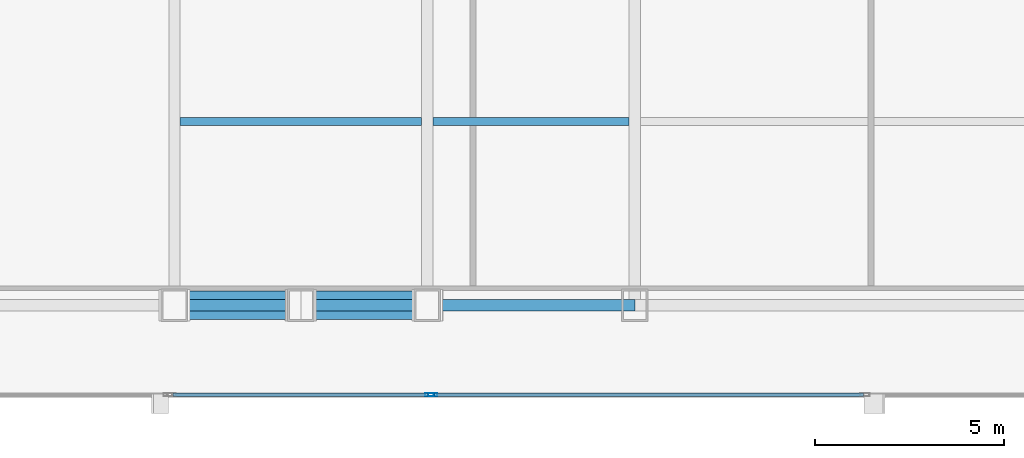
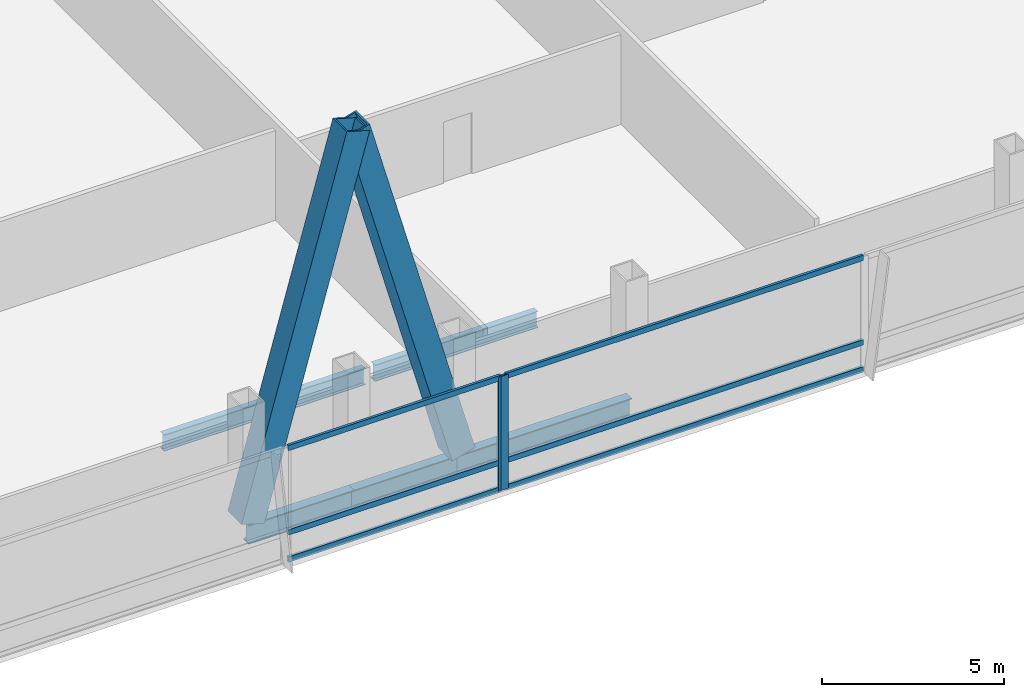
# One storey, part 8 of 32: 10 members, 5 beams, 2 elements without a shape of their own.
"""IFC4 building model written with IfcOpenShell, lengths in metres."""

from ifc_helpers import new_model, si_unit, direction, frame, origin, origin_2d, place, context, subcontext, project, spatial, hollow_rectangle, i_section, extrude, material, material_profile, profile_set, type_object, element, aggregate, save


model = new_model("IFC4")

# Units and contexts
model_context = context("Model", 3, precision=1e-05, world=origin(), true_north=direction((0.0, 1.0)))
body_context = subcontext(model_context, "Body", "Model", "MODEL_VIEW")
ifc_project = project(units=[si_unit("LENGTHUNIT", "METRE"), si_unit("AREAUNIT", "SQUARE_METRE"), si_unit("VOLUMEUNIT", "CUBIC_METRE"), si_unit("PLANEANGLEUNIT", "RADIAN"), si_unit("MASSUNIT", "GRAM", prefix="KILO")], contexts=[model_context])

# Site, building, storey
site_placement = place(None, origin())
site = spatial("IfcSite", under=ifc_project, at=site_placement, CompositionType="ELEMENT")
building_placement = place(site_placement, origin())
building = spatial("IfcBuilding", under=site, at=building_placement, Name="Khoronbel Lancet Exchange", CompositionType="ELEMENT")
storey_placement = place(building_placement, frame((0.0, 0.0, 94.60009765625)))
storey = spatial("IfcBuildingStorey", under=building, at=storey_placement, Name="L22", CompositionType="ELEMENT", Elevation=94.60009765625)

# Beams
ifc_material_1 = material(Name="Steel S355", Category="steel")
ifc_material_profile_1 = material_profile(ifc_material_1, i_section(OverallWidth=0.2099609375, OverallDepth=0.550048828125, WebThickness=0.010986328125, FlangeThickness=0.01708984375, at=origin_2d()), Name="IPE 550")
ifc_profile_set_1 = profile_set([ifc_material_profile_1], Name="Steel S355")
beam_type_1 = type_object("IfcBeamType", Name="BM-BJ2", PredefinedType="JOIST", material=ifc_profile_set_1)
beam_1_placement = place(storey_placement, frame((18.375, 15.0, -0.455078125), z_axis=(1.0, 0.0, 0.0), x_axis=(0.0, 1.0, 0.0)))
element("IfcBeam", 1, at=beam_1_placement, inside=storey, type_object=beam_type_1, Name="Level L22 secondary composite joist J01", PredefinedType="JOIST", context=body_context, shape_type="SweptSolid", body=[
    extrude(i_section(OverallWidth=0.2099609375, OverallDepth=0.550048828125, WebThickness=0.010986328125, FlangeThickness=0.01708984375, at=origin_2d()), origin(), (0.0, 0.0, 1.0), 6.375),
])
beam_2_placement = place(storey_placement, frame((25.050048828125, 15.0, -0.455078125), z_axis=(1.0, 0.0, 0.0), x_axis=(0.0, 1.0, 0.0)))
element("IfcBeam", 2, at=beam_2_placement, inside=storey, type_object=beam_type_1, Name="Level L22 secondary composite joist J02", PredefinedType="JOIST", context=body_context, shape_type="SweptSolid", body=[
    extrude(i_section(OverallWidth=0.2099609375, OverallDepth=0.550048828125, WebThickness=0.010986328125, FlangeThickness=0.01708984375, at=origin_2d()), origin(), (0.0, 0.0, 1.0), 5.175048828125),
])
ifc_material_profile_2 = material_profile(ifc_material_1, i_section(OverallWidth=0.300048828125, OverallDepth=0.64990234375, WebThickness=0.01611328125, FlangeThickness=0.031005859375, at=origin_2d()), Name="HEB 650")
ifc_profile_set_2 = profile_set([ifc_material_profile_2], Name="Steel S355")
beam_type_2 = type_object("IfcBeamType", Name="BM-BSP1", PredefinedType="SPANDREL", material=ifc_profile_set_2)
for number, where, z_axis, x_axis, name in (
    (3, (18.22509765625, 10.14990234375, -0.505126953125), (1.0, 0.0, 0.0), (0.0, 1.0, 0.0), "Level L22 perimeter spandrel beam SP02"),
    (4, (21.5625, 10.14990234375, -0.505126953125), (1.0, 0.0, 0.0), (0.0, 1.0, 0.0), "Level L22 perimeter spandrel beam SP03"),
):
    element("IfcBeam", number, at=place(storey_placement, frame(where, z_axis=z_axis, x_axis=x_axis)), inside=storey, type_object=beam_type_2, Name=name, PredefinedType="SPANDREL", context=body_context, shape_type="SweptSolid", body=[
        extrude(i_section(OverallWidth=0.300048828125, OverallDepth=0.64990234375, WebThickness=0.01611328125, FlangeThickness=0.031005859375, at=origin_2d()), origin(), (0.0, 0.0, 1.0), 3.33740234375),
    ])
beam_3_placement = place(storey_placement, frame((24.89990234375, 10.14990234375, -0.505126953125), z_axis=(1.0, 0.0, 0.0), x_axis=(0.0, 1.0, 0.0)))
element("IfcBeam", 5, at=beam_3_placement, inside=storey, type_object=beam_type_2, Name="Level L22 perimeter spandrel beam SP04", PredefinedType="SPANDREL", context=body_context, shape_type="SweptSolid", body=[
    extrude(i_section(OverallWidth=0.300048828125, OverallDepth=0.64990234375, WebThickness=0.01611328125, FlangeThickness=0.031005859375, at=origin_2d()), origin(), (0.0, 0.0, 1.0), 5.47509765625),
])

# Curtain wall, member
ifc_material_2 = material(Name="Low-E Solar Control Insulating Glass", Category="glass")
curtain_wall_type = type_object("IfcCurtainWallType", Name="CW-2", PredefinedType="NOTDEFINED", material=ifc_material_2)
curtain_wall_1_placement = place(storey_placement, origin())
curtain_wall_1 = element("IfcCurtainWall", 6, at=curtain_wall_1_placement, inside=storey, type_object=curtain_wall_type, Name="Unitised curtain wall CW-L22-SWB", PredefinedType="NOTDEFINED")
ifc_material_3 = material(Name="Bronze-Anodised Aluminium 6063-T6", Category="aluminium")
ifc_material_profile_3 = material_profile(ifc_material_3, hollow_rectangle(XDim=0.0849609375, YDim=0.239990234375, WallThickness=0.006103515625, at=origin_2d()), Name="ALU MULLION 85x240")
ifc_profile_set_3 = profile_set([ifc_material_profile_3], Name="Bronze-Anodised Aluminium 6063-T6")
member_type_1 = type_object("IfcMemberType", Name="MEM-CWM1", PredefinedType="MULLION", material=ifc_profile_set_3)
member_1_placement = place(storey_placement, frame((24.95751953125, 7.7900390625, 0.0), z_axis=(0.0, 0.0, 1.0), x_axis=(0.0, 1.0, 0.0)))
member_1 = element("IfcMember", 7, at=member_1_placement, type_object=member_type_1, Name="CW2 mullion 2", PredefinedType="MULLION", context=body_context, shape_type="SweptSolid", body=[
    extrude(hollow_rectangle(XDim=0.0849609375, YDim=0.239990234375, WallThickness=0.006103515625, at=origin_2d()), origin(), (0.0, 0.0, 1.0), 3.81982421875),
])

curtain_wall_2_placement = place(storey_placement, origin())
curtain_wall_2 = element("IfcCurtainWall", 8, at=curtain_wall_2_placement, inside=storey, type_object=curtain_wall_type, Name="Unitised curtain wall CW-L22-SCV", PredefinedType="NOTDEFINED")
member_2_placement = place(storey_placement, frame((25.04248046875, 7.7900390625, 0.0), z_axis=(0.0, 0.0, 1.0), x_axis=(0.0, 1.0, 0.0)))
member_2 = element("IfcMember", 9, at=member_2_placement, type_object=member_type_1, Name="CW2 mullion 1", PredefinedType="MULLION", context=body_context, shape_type="SweptSolid", body=[
    extrude(hollow_rectangle(XDim=0.0849609375, YDim=0.239990234375, WallThickness=0.006103515625, at=origin_2d()), origin(), (0.0, 0.0, 1.0), 3.81982421875),
])

# Member
ifc_material_profile_4 = material_profile(ifc_material_3, hollow_rectangle(XDim=0.0849609375, YDim=0.179931640625, WallThickness=0.0048828125, at=origin_2d()), Name="ALU TRANSOM 85x180")
ifc_profile_set_4 = profile_set([ifc_material_profile_4], Name="Bronze-Anodised Aluminium 6063-T6")
member_type_2 = type_object("IfcMemberType", Name="MEM-CWT1", PredefinedType="USERDEFINED", material=ifc_profile_set_4)
member_3_placement = place(storey_placement, frame((18.18505859375, 7.7900390625, 0.04248046875), z_axis=(1.0, 0.0, 0.0), x_axis=(0.0, 1.0, 0.0)))
member_3 = element("IfcMember", 10, at=member_3_placement, type_object=member_type_2, Name="CW2 transom 1.1", ObjectType="TRANSOM", PredefinedType="USERDEFINED", context=body_context, shape_type="SweptSolid", body=[
    extrude(hollow_rectangle(XDim=0.0849609375, YDim=0.179931640625, WallThickness=0.0048828125, at=origin_2d()), origin(), (0.0, 0.0, 1.0), 6.72998046875),
])

member_4_placement = place(storey_placement, frame((18.18505859375, 7.7900390625, 0.949951171875), z_axis=(1.0, 0.0, 0.0), x_axis=(0.0, 1.0, 0.0)))
member_4 = element("IfcMember", 11, at=member_4_placement, type_object=member_type_2, Name="CW2 transom 1.2", ObjectType="TRANSOM", PredefinedType="USERDEFINED", context=body_context, shape_type="SweptSolid", body=[
    extrude(hollow_rectangle(XDim=0.0849609375, YDim=0.179931640625, WallThickness=0.0048828125, at=origin_2d()), origin(), (0.0, 0.0, 1.0), 6.72998046875),
])

member_5_placement = place(storey_placement, frame((18.18505859375, 7.7900390625, 3.77734375), z_axis=(1.0, 0.0, 0.0), x_axis=(0.0, 1.0, 0.0)))
member_5 = element("IfcMember", 12, at=member_5_placement, type_object=member_type_2, Name="CW2 transom 1.3", ObjectType="TRANSOM", PredefinedType="USERDEFINED", context=body_context, shape_type="SweptSolid", body=[
    extrude(hollow_rectangle(XDim=0.0849609375, YDim=0.179931640625, WallThickness=0.0048828125, at=origin_2d()), origin(), (0.0, 0.0, 1.0), 6.72998046875),
])

aggregate(curtain_wall_1, [member_1, member_3, member_4, member_5])

member_6_placement = place(storey_placement, frame((25.0849609375, 7.7900390625, 0.04248046875), z_axis=(1.0, 0.0, 0.0), x_axis=(0.0, 1.0, 0.0)))
member_6 = element("IfcMember", 13, at=member_6_placement, type_object=member_type_2, Name="CW2 transom 1.1", ObjectType="TRANSOM", PredefinedType="USERDEFINED", context=body_context, shape_type="SweptSolid", body=[
    extrude(hollow_rectangle(XDim=0.0849609375, YDim=0.179931640625, WallThickness=0.0048828125, at=origin_2d()), origin(), (0.0, 0.0, 1.0), 11.322509765625),
])

member_7_placement = place(storey_placement, frame((25.0849609375, 7.7900390625, 0.949951171875), z_axis=(1.0, 0.0, 0.0), x_axis=(0.0, 1.0, 0.0)))
member_7 = element("IfcMember", 14, at=member_7_placement, type_object=member_type_2, Name="CW2 transom 1.2", ObjectType="TRANSOM", PredefinedType="USERDEFINED", context=body_context, shape_type="SweptSolid", body=[
    extrude(hollow_rectangle(XDim=0.0849609375, YDim=0.179931640625, WallThickness=0.0048828125, at=origin_2d()), origin(), (0.0, 0.0, 1.0), 11.322509765625),
])

member_8_placement = place(storey_placement, frame((25.0849609375, 7.7900390625, 3.77734375), z_axis=(1.0, 0.0, 0.0), x_axis=(0.0, 1.0, 0.0)))
member_8 = element("IfcMember", 15, at=member_8_placement, type_object=member_type_2, Name="CW2 transom 1.3", ObjectType="TRANSOM", PredefinedType="USERDEFINED", context=body_context, shape_type="SweptSolid", body=[
    extrude(hollow_rectangle(XDim=0.0849609375, YDim=0.179931640625, WallThickness=0.0048828125, at=origin_2d()), origin(), (0.0, 0.0, 1.0), 11.322509765625),
])

aggregate(curtain_wall_2, [member_2, member_6, member_7, member_8])

# Members
ifc_material_4 = material(Name="Steel S460", Category="steel")
ifc_material_profile_5 = material_profile(ifc_material_4, hollow_rectangle(XDim=0.760009765625, YDim=0.760009765625, WallThickness=0.054931640625, at=origin_2d()), Name="BOX 760x760x55")
ifc_profile_set_5 = profile_set([ifc_material_profile_5], Name="Steel S460")
member_type_3 = type_object("IfcMemberType", Name="MEM-MB1", PredefinedType="BRACE", material=ifc_profile_set_5)
for number, where, z_axis, x_axis, name in (
    (16, (18.22509765625, 10.14990234375, 0.0), (0.267947134133, 0.0, 0.963433616452), (0.0, 1.0, 0.0), "Perimeter lancet brace tier 7 S-W-L"),
    (17, (24.89990234375, 10.14990234375, 0.0), (-0.267947134133, 0.0, 0.963433616452), (0.0, -1.0, 0.0), "Perimeter lancet brace tier 7 S-W-R"),
):
    element("IfcMember", number, at=place(storey_placement, frame(where, z_axis=z_axis, x_axis=x_axis)), inside=storey, type_object=member_type_3, Name=name, PredefinedType="BRACE", context=body_context, shape_type="SweptSolid", body=[
        extrude(hollow_rectangle(XDim=0.760009765625, YDim=0.760009765625, WallThickness=0.054931640625, at=origin_2d()), origin(), (0.0, 0.0, 1.0), 12.45556640625),
    ])

save(model, "model.ifc")
